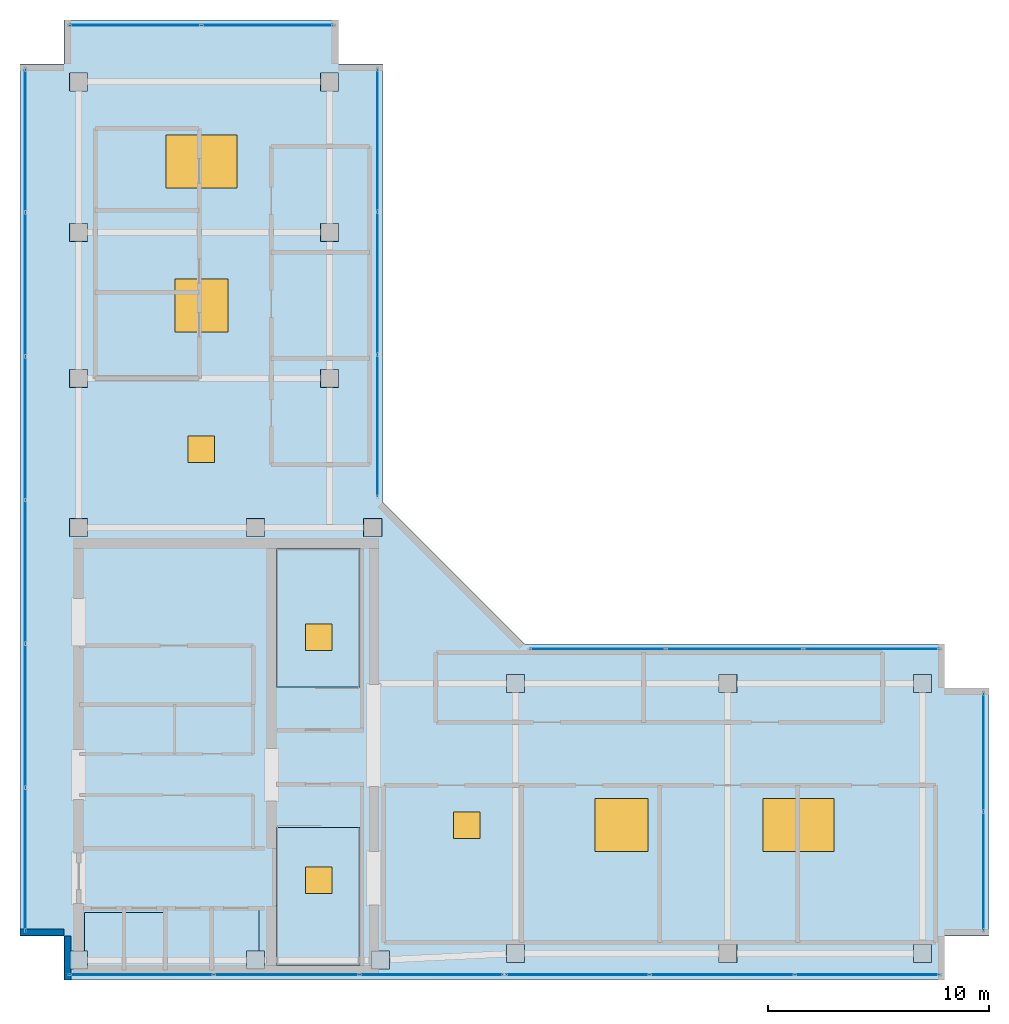
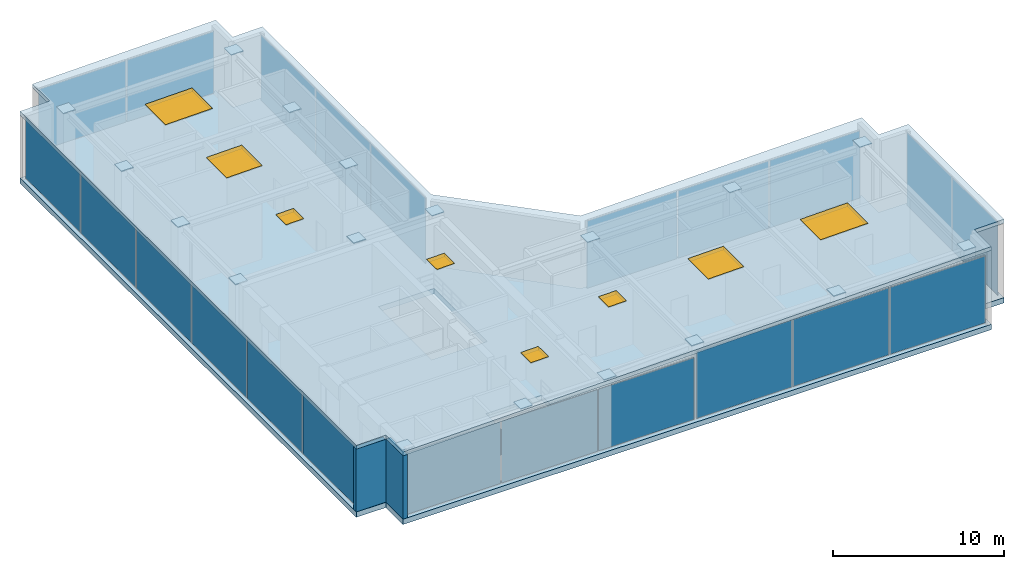
# One storey, part 19 of 22: 40 plates, 8 windows, 2 slabs, 2 walls, 8 openings, 7 elements without a shape of their own.
"""IFC4 building model written with IfcOpenShell, lengths in metres."""

import ifcopenshell
import ifcopenshell.guid

model = None  # the IFC model being written
_history = None  # IfcOwnerHistory: only IFC2X3 demands one
_inside = {}  # id of a spatial element -> (the spatial element, [elements in it])
_under = {}  # id of a project, library or spatial element -> (it, [spatial elements below it])
_declared = {}  # id of a project -> (the project, [libraries it declares])
_typed = {}  # id of a type object -> (the type object, [elements of that type])
_made_of = {}  # id of a material, layer set ... -> (it, [elements and type objects made of it])


def new_model(schema):
    """Start an empty IFC model of exactly this schema.

    Asked for "IFC4X3", IfcOpenShell would pick the latest addendum, in which some entities
    have other attributes; the version numbers below select the first issue.
    IFC2X3 requires an IfcOwnerHistory on every rooted entity: one is made here for all.
    """
    global model, _history
    if schema == "IFC4X3":
        model = ifcopenshell.file(schema_version=(4, 3, 0, 0))
    else:
        model = ifcopenshell.file(schema=schema)
    _inside.clear()
    _under.clear()
    _declared.clear()
    _typed.clear()
    _made_of.clear()
    _history = None
    if model.schema == "IFC2X3":
        org = make("IfcOrganization", Name="unknown")
        user = make(
            "IfcPersonAndOrganization",
            ThePerson=make("IfcPerson", FamilyName="unknown"),
            TheOrganization=org,
        )
        app = make(
            "IfcApplication",
            ApplicationDeveloper=org,
            Version="unknown",
            ApplicationFullName="unknown",
            ApplicationIdentifier="unknown",
        )
        _history = make(
            "IfcOwnerHistory",
            OwningUser=user,
            OwningApplication=app,
            ChangeAction="ADDED",
            CreationDate=0,
        )
    return model


def make(cls, **values):
    """One entity of the class cls with the attributes given. An attribute that is None is left unset."""
    return model.create_entity(
        cls, **{name: value for name, value in values.items() if value is not None}
    )


def rooted(cls, **values):
    """An entity with a GlobalId (a new one), such as an element, a storey or a relation."""
    return make(cls, GlobalId=ifcopenshell.guid.new(), OwnerHistory=_history, **values)


def si_unit(unit_type, name, prefix=None):
    """IfcSIUnit, for example si_unit("LENGTHUNIT", "METRE", prefix="MILLI")."""
    return make("IfcSIUnit", UnitType=unit_type, Prefix=prefix, Name=name)


def assignment(units):
    """IfcUnitAssignment: the units of a project."""
    return None if units is None else make("IfcUnitAssignment", Units=units)


def point(xyz):
    """IfcCartesianPoint."""
    return None if xyz is None else make("IfcCartesianPoint", Coordinates=xyz)


def direction(xyz):
    """IfcDirection."""
    return None if xyz is None else make("IfcDirection", DirectionRatios=xyz)


def frame(location, z_axis=None, x_axis=None):
    """IfcAxis2Placement3D, a coordinate frame: its origin and axes. An axis left out is left unset."""
    return make(
        "IfcAxis2Placement3D",
        Location=point(location),
        Axis=direction(z_axis),
        RefDirection=direction(x_axis),
    )


def frame_2d(location, x_axis=None):
    """IfcAxis2Placement2D, a coordinate frame in the plane: its origin and x axis."""
    return make(
        "IfcAxis2Placement2D", Location=point(location), RefDirection=direction(x_axis)
    )


def origin():
    """The frame at (0, 0, 0) with its axes left unset."""
    return frame((0.0, 0.0, 0.0))


def origin_with_axes():
    """The frame at (0, 0, 0) with the z axis (0, 0, 1) and the x axis (1, 0, 0) written out."""
    return frame((0.0, 0.0, 0.0), z_axis=(0.0, 0.0, 1.0), x_axis=(1.0, 0.0, 0.0))


def origin_2d():
    """The frame at (0, 0) in the plane with its x axis left unset."""
    return frame_2d((0.0, 0.0))


def place(relative_to, where):
    """IfcLocalPlacement: puts the frame where relative to a parent placement (None: the world)."""
    return make(
        "IfcLocalPlacement", PlacementRelTo=relative_to, RelativePlacement=where
    )


def context(
    kind, dimensions, precision=None, world=None, true_north=None, identifier=None
):
    """IfcGeometricRepresentationContext, for example the 3D "Model" context."""
    return make(
        "IfcGeometricRepresentationContext",
        ContextIdentifier=identifier,
        ContextType=kind,
        CoordinateSpaceDimension=dimensions,
        Precision=precision,
        WorldCoordinateSystem=world,
        TrueNorth=true_north,
    )


def subcontext(parent, identifier, kind, view, scale=None):
    """IfcGeometricRepresentationSubContext, for example "Body" below "Model"."""
    return make(
        "IfcGeometricRepresentationSubContext",
        ContextIdentifier=identifier,
        ContextType=kind,
        ParentContext=parent,
        TargetScale=scale,
        TargetView=view,
    )


def project(units=None, contexts=None):
    """IfcProject with its units and contexts."""
    return rooted(
        "IfcProject",
        Name="project",
        RepresentationContexts=contexts,
        UnitsInContext=assignment(units),
    )


def spatial(cls, under=None, at=None, **own):
    """A site, building, storey or space (cls), placed at a placement, below another one or the project."""
    s = rooted(cls, ObjectPlacement=at, **own)
    if under is not None:
        _under.setdefault(under.id(), (under, []))[1].append(s)
    return s


def polyline(points):
    """IfcPolyline through the points."""
    return make("IfcPolyline", Points=[point(p) for p in points])


def profile(cls, at=None, kind="AREA", **sizes):
    """A parametric profile (cls). Its sizes go by their IFC names, for example OverallWidth=200.0."""
    return make(cls, ProfileType=kind, Position=at, **sizes)


def rectangle(**sizes):
    """IfcRectangleProfileDef."""
    return profile("IfcRectangleProfileDef", **sizes)


def outline(outer, holes=None, kind="AREA"):
    """IfcArbitraryClosedProfileDef: a profile drawn as a closed curve; with holes, ...WithVoids."""
    if holes is None:
        return make("IfcArbitraryClosedProfileDef", ProfileType=kind, OuterCurve=outer)
    return make(
        "IfcArbitraryProfileDefWithVoids",
        ProfileType=kind,
        OuterCurve=outer,
        InnerCurves=holes,
    )


def extrude(swept, where, along, depth):
    """IfcExtrudedAreaSolid: the profile swept, set in the frame where, extruded along a direction by depth."""
    return make(
        "IfcExtrudedAreaSolid",
        SweptArea=swept,
        Position=where,
        ExtrudedDirection=direction(along),
        Depth=depth,
    )


def shape(context_of_items, identifier, shape_type, items):
    """IfcShapeRepresentation: the items that make up one representation, for example the "Body"."""
    return make(
        "IfcShapeRepresentation",
        ContextOfItems=context_of_items,
        RepresentationIdentifier=identifier,
        RepresentationType=shape_type,
        Items=items,
    )


def source(mapping_origin, context_of_items, identifier, shape_type, items):
    """IfcRepresentationMap: a shape defined once, which mapped items show again and again."""
    return make(
        "IfcRepresentationMap",
        MappingOrigin=mapping_origin,
        MappedRepresentation=shape(context_of_items, identifier, shape_type, items),
    )


def transform(
    local_origin,
    x_axis=None,
    y_axis=None,
    z_axis=None,
    scale=None,
    scale2=None,
    scale3=None,
    uniform=True,
):
    """IfcCartesianTransformationOperator3D, or its non-uniform kind. x_axis, y_axis, z_axis: its Axis1, 2, 3."""
    if uniform:
        return make(
            "IfcCartesianTransformationOperator3D",
            Axis1=direction(x_axis),
            Axis2=direction(y_axis),
            LocalOrigin=point(local_origin),
            Scale=scale,
            Axis3=direction(z_axis),
        )
    return make(
        "IfcCartesianTransformationOperator3DnonUniform",
        Axis1=direction(x_axis),
        Axis2=direction(y_axis),
        LocalOrigin=point(local_origin),
        Scale=scale,
        Axis3=direction(z_axis),
        Scale2=scale2,
        Scale3=scale3,
    )


def mapped(mapping_source, mapping_target):
    """IfcMappedItem: shows the shape of a source again, moved by a transform."""
    return make(
        "IfcMappedItem", MappingSource=mapping_source, MappingTarget=mapping_target
    )


def material(Name=None, Category=None):
    """IfcMaterial."""
    return make("IfcMaterial", Name=Name, Category=Category)


def layer(
    of_material, thickness, ventilated=None, Name=None, Category=None, Priority=None
):
    """IfcMaterialLayer: one layer of a wall or slab, of a material (None: an air gap)."""
    return make(
        "IfcMaterialLayer",
        Material=of_material,
        LayerThickness=thickness,
        IsVentilated=ventilated,
        Name=Name,
        Category=Category,
        Priority=Priority,
    )


def layer_set(layers, Name=None):
    """IfcMaterialLayerSet."""
    return make("IfcMaterialLayerSet", MaterialLayers=layers, LayerSetName=Name)


def made_of(thing, what):
    """Note that an element or type object is made of a material, layer set ...; save() writes the relation."""
    if what is not None:
        _made_of.setdefault(what.id(), (what, []))[1].append(thing)
    return thing


def type_object(cls, material=None, **own):
    """A type object (cls), such as IfcWallType, which elements share."""
    return made_of(rooted(cls, **own), material)


def element(
    cls,
    number,
    at=None,
    inside=None,
    cuts=None,
    type_object=None,
    material=None,
    context=None,
    identifier="Body",
    shape_type=None,
    held_by="IfcProductDefinitionShape",
    body=None,
    shapes=None,
    **own,
):
    """One element of the class cls, such as IfcWall. Its Tag is "e" and its number.

    at: its placement. inside: the storey or other place that contains it. cuts: it is an
    opening in that element (IfcRelVoidsElement). A single representation is given by context,
    identifier, shape_type and body (its items); several are given by shapes. held_by: the class
    of the entity that holds the representations. save() writes the other relations.
    """
    e = rooted(cls, Tag="e%d" % number, ObjectPlacement=at, **own)
    if body is not None:
        shapes = [shape(context, identifier, shape_type, body)]
    if shapes is not None:
        e.Representation = make(held_by, Representations=shapes)
    if inside is not None:
        _inside.setdefault(inside.id(), (inside, []))[1].append(e)
    if cuts is not None:
        rooted(
            "IfcRelVoidsElement", RelatingBuildingElement=cuts, RelatedOpeningElement=e
        )
    if type_object is not None:
        _typed.setdefault(type_object.id(), (type_object, []))[1].append(e)
    return made_of(e, material)


def fill(opening, filler):
    """IfcRelFillsElement: the door or window that sits in an opening."""
    return rooted(
        "IfcRelFillsElement",
        RelatingOpeningElement=opening,
        RelatedBuildingElement=filler,
    )


def aggregate(whole, parts):
    """IfcRelAggregates: a whole, such as a stair, and the parts it consists of."""
    return rooted("IfcRelAggregates", RelatingObject=whole, RelatedObjects=parts)


def save(model, path):
    """Write the relations noted so far, then the file.

    IfcRelAggregates (storeys below a building ...), IfcRelContainedInSpatialStructure (elements
    in a storey), IfcRelDefinesByType, IfcRelAssociatesMaterial and IfcRelDeclares: one each for
    every whole, place, type object, material and project.
    """
    for whole, parts in _under.values():
        aggregate(whole, parts)
    for where, things in _inside.values():
        rooted(
            "IfcRelContainedInSpatialStructure",
            RelatedElements=things,
            RelatingStructure=where,
        )
    for kind, things in _typed.values():
        rooted("IfcRelDefinesByType", RelatedObjects=things, RelatingType=kind)
    for what, things in _made_of.values():
        rooted("IfcRelAssociatesMaterial", RelatedObjects=things, RelatingMaterial=what)
    for by, libraries in _declared.values():
        rooted("IfcRelDeclares", RelatingContext=by, RelatedDefinitions=libraries)
    model.write(path)


model = new_model("IFC4")

# Units and contexts
model_context = context("Model", 3, precision=1e-05, world=origin(), true_north=direction((0.0, 1.0)))
body_context = subcontext(model_context, "Body", "Model", "MODEL_VIEW")
ifc_project = project(units=[si_unit("LENGTHUNIT", "METRE"), si_unit("AREAUNIT", "SQUARE_METRE"), si_unit("VOLUMEUNIT", "CUBIC_METRE"), si_unit("PLANEANGLEUNIT", "RADIAN"), si_unit("MASSUNIT", "GRAM", prefix="KILO")], contexts=[model_context])

# Site, building, storey
site_placement = place(None, origin())
site = spatial("IfcSite", under=ifc_project, at=site_placement, CompositionType="ELEMENT")
building_placement = place(site_placement, origin())
building = spatial("IfcBuilding", under=site, at=building_placement, Name="Kolvaren Waterfront Exchange", CompositionType="ELEMENT")
storey_placement = place(building_placement, frame((0.0, 0.0, 360.39990234375)))
storey = spatial("IfcBuildingStorey", under=building, at=storey_placement, Name="RF", CompositionType="ELEMENT", Elevation=360.39990234375)

# Slab, openings, windows
ifc_material_1 = material(Name="Concrete C40/50", Category="concrete")
ifc_layer_1 = layer(ifc_material_1, 0.280029296875, Name="Concrete C40/50")
ifc_layer_set_1 = layer_set([ifc_layer_1], Name="Concrete C40/50")
slab_type_1 = type_object("IfcSlabType", Name="STR-ROOF-280", PredefinedType="ROOF", material=ifc_layer_set_1)
slab_1_placement = place(storey_placement, frame((6.800048828125, 4.0, 4.798583984375), z_axis=(-0.019179722964, -9.68549e-07, 0.999816052195), x_axis=(0.999816052195, -8e-12, 0.019179722964)))
slab_1 = element("IfcSlab", 1, at=slab_1_placement, inside=storey, type_object=slab_type_1, Name="RF structural crown cap roof slab", PredefinedType="ROOF", context=body_context, shape_type="SweptSolid", body=[
    extrude(outline(polyline([(0.0, 0.0), (39.807365346407536, 1.0587911840678754e-22), (39.807365346392416, 1.9999999999990623), (41.80773261106227, 1.9999999999789113), (41.8077326109776, 13.19995117184866), (39.80736534630775, 13.199951171868811), (39.80736534629263, 15.199951171867873), (20.80387399065423, 15.199951171941098), (14.402549476703053, 21.600097656238447), (14.402549476553373, 41.39990234372917), (12.402182211883517, 41.39990234374931), (12.402182211868396, 43.39990234374837), (-3.280890504877779e-10, 43.39990234372965), (-3.1296970538468803e-10, 41.39990234373059), (-2.000371947532377, 41.39990234351432), (-2.0003719472345263, 1.9999999997827949), (-1.5119345103089887e-11, 1.9999999999990623), (0.0, 0.0)])), origin(), (0.0, 0.0, -1.0), 0.280029296875),
])
opening_1_placement = place(slab_1_placement, frame((11.502197265625, 4.5, 0.0)))
opening_1 = element("IfcOpeningElement", 2, at=opening_1_placement, cuts=slab_1, Name="Opening SK01", PredefinedType="OPENING", context=body_context, shape_type="SweptSolid", body=[
    extrude(rectangle(XDim=1.199951171875, YDim=1.199951171875, at=origin_2d()), frame((0.0, 0.0, 0.02001953125), z_axis=(0.0, 0.0, -1.0), x_axis=(1.0, 0.0, 0.0)), (0.0, 0.0, 1.0), 0.320068359375),
])
opening_2_placement = place(slab_1_placement, frame((11.502197265625, 15.5, 0.0)))
opening_2 = element("IfcOpeningElement", 3, at=opening_2_placement, cuts=slab_1, Name="Opening SK01", PredefinedType="OPENING", context=body_context, shape_type="SweptSolid", body=[
    extrude(rectangle(XDim=1.199951171875, YDim=1.199951171875, at=origin_2d()), frame((0.0, 0.0, 0.02001953125), z_axis=(0.0, 0.0, -1.0), x_axis=(1.0, 0.0, 0.0)), (0.0, 0.0, 1.0), 0.320068359375),
])
opening_3_placement = place(slab_1_placement, frame((18.203369140625, 7.0, 0.0)))
opening_3 = element("IfcOpeningElement", 4, at=opening_3_placement, cuts=slab_1, Name="Opening SK01", PredefinedType="OPENING", context=body_context, shape_type="SweptSolid", body=[
    extrude(rectangle(XDim=1.199951171875, YDim=1.199951171875, at=origin_2d()), frame((0.0, 0.0, 0.02001953125), z_axis=(0.0, 0.0, -1.0), x_axis=(1.0, 0.0, 0.0)), (0.0, 0.0, 1.0), 0.320068359375),
])
opening_4_placement = place(slab_1_placement, frame((25.20458984375, 7.0, 0.0)))
opening_4 = element("IfcOpeningElement", 5, at=opening_4_placement, cuts=slab_1, Name="Opening SK02", PredefinedType="OPENING", context=body_context, shape_type="SweptSolid", body=[
    extrude(rectangle(XDim=2.39990234375, YDim=2.39990234375, at=origin_2d()), frame((0.0, 0.0, 0.02001953125), z_axis=(0.0, 0.0, -1.0), x_axis=(1.0, 0.0, 0.0)), (0.0, 0.0, 1.0), 0.320068359375),
])
opening_5_placement = place(slab_1_placement, frame((33.2060546875, 7.0, 0.0)))
opening_5 = element("IfcOpeningElement", 6, at=opening_5_placement, cuts=slab_1, Name="Opening SK03", PredefinedType="OPENING", context=body_context, shape_type="SweptSolid", body=[
    extrude(rectangle(XDim=3.199951171875, YDim=2.39990234375, at=origin_2d()), frame((0.0, 0.0, 0.02001953125), z_axis=(0.0, 0.0, -1.0), x_axis=(1.0, 0.0, 0.0)), (0.0, 0.0, 1.0), 0.320068359375),
])
opening_6_placement = place(slab_1_placement, frame((6.201171875, 24.0, 0.0)))
opening_6 = element("IfcOpeningElement", 7, at=opening_6_placement, cuts=slab_1, Name="Opening SK01", PredefinedType="OPENING", context=body_context, shape_type="SweptSolid", body=[
    extrude(rectangle(XDim=1.199951171875, YDim=1.199951171875, at=origin_2d()), frame((0.0, 0.0, 0.02001953125), z_axis=(0.0, 0.0, -1.0), x_axis=(1.0, 0.0, 0.0)), (0.0, 0.0, 1.0), 0.320068359375),
])
opening_7_placement = place(slab_1_placement, frame((6.201171875, 30.5, 0.0)))
opening_7 = element("IfcOpeningElement", 8, at=opening_7_placement, cuts=slab_1, Name="Opening SK02", PredefinedType="OPENING", context=body_context, shape_type="SweptSolid", body=[
    extrude(rectangle(XDim=2.39990234375, YDim=2.39990234375, at=origin_2d()), frame((0.0, 0.0, 0.02001953125), z_axis=(0.0, 0.0, -1.0), x_axis=(1.0, 0.0, 0.0)), (0.0, 0.0, 1.0), 0.320068359375),
])
opening_8_placement = place(slab_1_placement, frame((6.201171875, 37.0, 0.0)))
opening_8 = element("IfcOpeningElement", 9, at=opening_8_placement, cuts=slab_1, Name="Opening SK03", PredefinedType="OPENING", context=body_context, shape_type="SweptSolid", body=[
    extrude(rectangle(XDim=3.199951171875, YDim=2.39990234375, at=origin_2d()), frame((0.0, 0.0, 0.02001953125), z_axis=(0.0, 0.0, -1.0), x_axis=(1.0, 0.0, 0.0)), (0.0, 0.0, 1.0), 0.320068359375),
])
ifc_material_2 = material(Name="Crown lantern clear solar glass", Category="glass")
window_type_1 = type_object("IfcWindowType", Name="ARC-SKY-1200x1200", PartitioningType="SINGLE_PANEL", PredefinedType="SKYLIGHT", material=ifc_material_2)
window_1_placement = place(opening_1_placement, frame((0.0, 0.0, -0.050048828125)))
window_1 = element("IfcWindow", 10, at=window_1_placement, inside=storey, type_object=window_type_1, Name="RF maintenance roof access hatch 1", OverallHeight=1.199951171875, OverallWidth=1.199951171875, PartitioningType="SINGLE_PANEL", PredefinedType="SKYLIGHT", context=body_context, shape_type="SweptSolid", body=[
    extrude(rectangle(XDim=1.199951171875, YDim=1.199951171875, at=origin_2d()), origin(), (0.0, 0.0, 1.0), 0.050048828125),
])
fill(opening_1, window_1)
window_2_placement = place(opening_2_placement, frame((0.0, 0.0, -0.050048828125)))
window_2 = element("IfcWindow", 11, at=window_2_placement, inside=storey, type_object=window_type_1, Name="RF maintenance roof access hatch 2", OverallHeight=1.199951171875, OverallWidth=1.199951171875, PartitioningType="SINGLE_PANEL", PredefinedType="SKYLIGHT", context=body_context, shape_type="SweptSolid", body=[
    extrude(rectangle(XDim=1.199951171875, YDim=1.199951171875, at=origin_2d()), origin(), (0.0, 0.0, 1.0), 0.050048828125),
])
fill(opening_2, window_2)
window_3_placement = place(opening_3_placement, frame((0.0, 0.0, -0.050048828125)))
window_3 = element("IfcWindow", 12, at=window_3_placement, inside=storey, type_object=window_type_1, Name="RF crown skylight 1", OverallHeight=1.199951171875, OverallWidth=1.199951171875, PartitioningType="SINGLE_PANEL", PredefinedType="SKYLIGHT", context=body_context, shape_type="SweptSolid", body=[
    extrude(rectangle(XDim=1.199951171875, YDim=1.199951171875, at=origin_2d()), origin(), (0.0, 0.0, 1.0), 0.050048828125),
])
fill(opening_3, window_3)
window_4_placement = place(opening_6_placement, frame((0.0, 0.0, -0.050048828125)))
window_4 = element("IfcWindow", 13, at=window_4_placement, inside=storey, type_object=window_type_1, Name="RF crown skylight 4", OverallHeight=1.199951171875, OverallWidth=1.199951171875, PartitioningType="SINGLE_PANEL", PredefinedType="SKYLIGHT", context=body_context, shape_type="SweptSolid", body=[
    extrude(rectangle(XDim=1.199951171875, YDim=1.199951171875, at=origin_2d()), origin(), (0.0, 0.0, 1.0), 0.050048828125),
])
fill(opening_6, window_4)
window_type_2 = type_object("IfcWindowType", Name="ARC-SKY-2400x2400", PartitioningType="SINGLE_PANEL", PredefinedType="SKYLIGHT", material=ifc_material_2)
window_5_placement = place(opening_4_placement, frame((0.0, 0.0, -0.050048828125)))
window_5 = element("IfcWindow", 14, at=window_5_placement, inside=storey, type_object=window_type_2, Name="RF crown skylight 2", OverallHeight=2.39990234375, OverallWidth=2.39990234375, PartitioningType="SINGLE_PANEL", PredefinedType="SKYLIGHT", context=body_context, shape_type="SweptSolid", body=[
    extrude(rectangle(XDim=2.39990234375, YDim=2.39990234375, at=origin_2d()), origin(), (0.0, 0.0, 1.0), 0.050048828125),
])
fill(opening_4, window_5)
window_6_placement = place(opening_7_placement, frame((0.0, 0.0, -0.050048828125)))
window_6 = element("IfcWindow", 15, at=window_6_placement, inside=storey, type_object=window_type_2, Name="RF crown skylight 5", OverallHeight=2.39990234375, OverallWidth=2.39990234375, PartitioningType="SINGLE_PANEL", PredefinedType="SKYLIGHT", context=body_context, shape_type="SweptSolid", body=[
    extrude(rectangle(XDim=2.39990234375, YDim=2.39990234375, at=origin_2d()), origin(), (0.0, 0.0, 1.0), 0.050048828125),
])
fill(opening_7, window_6)
window_type_3 = type_object("IfcWindowType", Name="ARC-SKY-3200x2400", PartitioningType="SINGLE_PANEL", PredefinedType="SKYLIGHT", material=ifc_material_2)
window_7_placement = place(opening_5_placement, frame((0.0, 0.0, -0.050048828125)))
window_7 = element("IfcWindow", 16, at=window_7_placement, inside=storey, type_object=window_type_3, Name="RF crown skylight 3", OverallHeight=2.39990234375, OverallWidth=3.199951171875, PartitioningType="SINGLE_PANEL", PredefinedType="SKYLIGHT", context=body_context, shape_type="SweptSolid", body=[
    extrude(rectangle(XDim=3.199951171875, YDim=2.39990234375, at=origin_2d()), origin(), (0.0, 0.0, 1.0), 0.050048828125),
])
fill(opening_5, window_7)
window_8_placement = place(opening_8_placement, frame((0.0, 0.0, -0.050048828125)))
window_8 = element("IfcWindow", 17, at=window_8_placement, inside=storey, type_object=window_type_3, Name="RF crown skylight 6", OverallHeight=2.39990234375, OverallWidth=3.199951171875, PartitioningType="SINGLE_PANEL", PredefinedType="SKYLIGHT", context=body_context, shape_type="SweptSolid", body=[
    extrude(rectangle(XDim=3.199951171875, YDim=2.39990234375, at=origin_2d()), origin(), (0.0, 0.0, 1.0), 0.050048828125),
])
fill(opening_8, window_8)

# Slab
ifc_layer_2 = layer(ifc_material_1, 0.3798828125, Name="Concrete C40/50")
ifc_layer_set_2 = layer_set([ifc_layer_2], Name="Concrete C40/50")
slab_type_2 = type_object("IfcSlabType", Name="STR-SLAB-380", PredefinedType="FLOOR", material=ifc_layer_set_2)
slab_2_placement = place(storey_placement, frame((0.0, 0.0, -0.3798828125)))
element("IfcSlab", 18, at=slab_2_placement, inside=storey, type_object=slab_type_2, Name="RF structural floor slab", PredefinedType="FLOOR", context=body_context, shape_type="SweptSolid", body=[
    extrude(outline(polyline([(6.800048828125, 4.0), (46.60009765625, 4.0), (46.60009765625, 6.0), (48.60009765625, 6.0), (48.60009765625, 17.199951171875), (46.60009765625, 17.199951171875), (46.60009765625, 19.199951171875), (27.60009765625, 19.199951171875), (21.199951171875, 25.60009765625), (21.199951171875, 45.39990234375), (19.199951171875, 45.39990234375), (19.199951171875, 47.39990234375), (6.800048828125, 47.39990234375), (6.800048828125, 45.39990234375), (4.800048828125, 45.39990234375), (4.800048828125, 6.0), (6.800048828125, 6.0), (6.800048828125, 4.0)]), holes=[polyline([(11.320068359375, 7.260009765625), (15.610107421875, 7.260009765625), (15.610107421875, 4.5400390625), (7.719970703125, 4.5400390625), (7.719970703125, 7.06005859375), (11.320068359375, 7.06005859375), (11.320068359375, 7.260009765625)]), polyline([(16.39990234375, 10.89990234375), (20.159912109375, 10.89990234375), (20.159912109375, 4.64990234375), (16.39990234375, 4.64990234375), (16.39990234375, 10.89990234375)]), polyline([(20.159912109375, 17.25), (16.39990234375, 17.25), (16.39990234375, 23.5), (20.159912109375, 23.5), (20.159912109375, 17.25)])]), origin(), (0.0, 0.0, 1.0), 0.3798828125),
])

# Plates
ifc_material_3 = material(Name="Steel S460", Category="steel")
ifc_layer_3 = layer(ifc_material_3, 0.050048828125, Name="Steel S460")
ifc_layer_set_3 = layer_set([ifc_layer_3], Name="Steel S460")
plate_type_1 = type_object("IfcPlateType", Name="STR-PL-TN1", PredefinedType="USERDEFINED", material=ifc_layer_set_3)
shared_shape_1 = source(origin_with_axes(), body_context, "Body", "SweptSolid", [
    extrude(rectangle(XDim=0.820068359375, YDim=0.820068359375, at=origin_2d()), origin(), (0.0, 0.0, 1.0), 0.050048828125),
])
for number, where, z_axis, x_axis, name in (
    (19, (7.449951171875, 4.89990234375, 4.505859375), (0.0, 0.0, 1.0), (1.0, 0.0, 0.0), "RF crown column cap plate MC01"),
    (20, (15.449951171875, 4.89990234375, 4.6591796875), (0.0, 0.0, 1.0), (1.0, 0.0, 0.0), "RF crown column cap plate MC02"),
    (21, (21.10009765625, 4.89990234375, 4.767578125), (0.0, 0.0, 1.0), (1.0, 0.0, 0.0), "RF crown column cap plate MC03"),
    (22, (7.449951171875, 24.449951171875, 4.505859375), (0.0, 0.0, 1.0), (1.0, 0.0, 0.0), "RF crown column cap plate MC04"),
    (23, (15.449951171875, 24.449951171875, 4.6591796875), (0.0, 0.0, 1.0), (1.0, 0.0, 0.0), "RF crown column cap plate MC05"),
    (24, (20.75, 24.449951171875, 4.7607421875), (0.0, 0.0, 1.0), (1.0, 0.0, 0.0), "RF crown column cap plate MC06"),
    (25, (7.449951171875, 31.199951171875, 4.505859375), (0.0, 0.0, 1.0), (1.0, 0.0, 0.0), "RF crown column cap plate NC01"),
    (26, (7.449951171875, 37.800048828125, 4.505859375), (0.0, 0.0, 1.0), (1.0, 0.0, 0.0), "RF crown column cap plate NC02"),
    (27, (7.449951171875, 44.60009765625, 4.505859375), (0.0, 0.0, 1.0), (1.0, 0.0, 0.0), "RF crown column cap plate NC03"),
    (28, (18.800048828125, 31.199951171875, 4.7236328125), (0.0, 0.0, 1.0), (1.0, 0.0, 0.0), "RF crown column cap plate NC04"),
    (29, (18.800048828125, 37.800048828125, 4.7236328125), (0.0, 0.0, 1.0), (1.0, 0.0, 0.0), "RF crown column cap plate NC05"),
    (30, (18.800048828125, 44.60009765625, 4.7236328125), (0.0, 0.0, 1.0), (1.0, 0.0, 0.0), "RF crown column cap plate NC06"),
    (31, (27.199951171875, 5.199951171875, 4.884765625), (0.0, 0.0, 1.0), (1.0, 0.0, 0.0), "RF crown column cap plate EC01"),
    (32, (36.800048828125, 5.199951171875, 5.06884765625), (0.0, 0.0, 1.0), (1.0, 0.0, 0.0), "RF crown column cap plate EC02"),
    (33, (45.60009765625, 5.199951171875, 5.23779296875), (0.0, 0.0, 1.0), (1.0, 0.0, 0.0), "RF crown column cap plate EC03"),
    (34, (27.199951171875, 17.39990234375, 4.884765625), (0.0, 0.0, 1.0), (1.0, 0.0, 0.0), "RF crown column cap plate EC04"),
    (35, (36.800048828125, 17.39990234375, 5.06884765625), (0.0, 0.0, 1.0), (1.0, 0.0, 0.0), "RF crown column cap plate EC05"),
    (36, (45.60009765625, 17.39990234375, 5.23779296875), (0.0, 0.0, 1.0), (1.0, 0.0, 0.0), "RF crown column cap plate EC06"),
):
    element("IfcPlate", number, at=place(storey_placement, frame(where, z_axis=z_axis, x_axis=x_axis)), inside=storey, type_object=plate_type_1, Name=name, ObjectType="FLANGE PLATE", PredefinedType="USERDEFINED", context=body_context, shape_type="MappedRepresentation", body=[
        mapped(shared_shape_1, transform((0.0, 0.0, 0.0), x_axis=(1.0, 0.0, 0.0), y_axis=(0.0, 1.0, 0.0), z_axis=(0.0, 0.0, 1.0), scale=1.0)),
    ])

# Curtain wall, plates
ifc_material_4 = material(Name="Anodised bronze aluminium 6063-T6", Category="aluminium")
ifc_layer_4 = layer(ifc_material_4, 0.219970703125, Name="Anodised bronze aluminium 6063-T6")
ifc_layer_set_4 = layer_set([ifc_layer_4], Name="Anodised bronze aluminium 6063-T6")
curtain_wall_type = type_object("IfcCurtainWallType", Name="ARC-CW-SYS5", PredefinedType="USERDEFINED", material=ifc_layer_set_4)
curtain_wall_1_placement = place(storey_placement, origin())
curtain_wall_1 = element("IfcCurtainWall", 37, at=curtain_wall_1_placement, inside=storey, type_object=curtain_wall_type, Name="RF stick curtain wall CW5 (CW-RF-S1)", ObjectType="STICK CURTAIN WALL", PredefinedType="USERDEFINED")
ifc_layer_5 = layer(ifc_material_2, 0.030029296875, Name="Crown lantern clear solar glass")
ifc_layer_set_5 = layer_set([ifc_layer_5], Name="Crown lantern clear solar glass")
plate_type_2 = type_object("IfcPlateType", Name="ARC-CWP-30", PredefinedType="CURTAIN_PANEL", material=ifc_layer_set_5)
shared_shape_2 = source(origin_with_axes(), body_context, "Body", "SweptSolid", [
    extrude(rectangle(XDim=6.4541015625, YDim=0.030029296875, at=origin_2d()), origin(), (0.0, 0.0, 1.0), 4.412109375),
])
plate_1_placement = place(storey_placement, frame((10.302001953125, 4.239990234375, 0.065185546875), z_axis=(0.0, 0.0, 1.0), x_axis=(1.0, 0.0, 0.0)))
plate_1 = element("IfcPlate", 38, at=plate_1_placement, type_object=plate_type_2, Name="CW5 panel 1.1", PredefinedType="CURTAIN_PANEL", context=body_context, shape_type="MappedRepresentation", body=[
    mapped(shared_shape_2, transform((0.0, 0.0, 0.0), x_axis=(1.0, 0.0, 0.0), y_axis=(0.0, 1.0, 0.0), z_axis=(0.0, 0.0, 1.0), scale=1.0)),
])
plate_2_placement = place(storey_placement, frame((23.39794921875, 4.239990234375, 0.065185546875), z_axis=(0.0, 0.0, 1.0), x_axis=(1.0, 0.0, 0.0)))
plate_2 = element("IfcPlate", 39, at=plate_2_placement, type_object=plate_type_2, Name="CW5 panel 3.1", PredefinedType="CURTAIN_PANEL", context=body_context, shape_type="MappedRepresentation", body=[
    mapped(shared_shape_2, transform((0.0, 0.0, 0.0), x_axis=(1.0, 0.0, 0.0), y_axis=(0.0, 1.0, 0.0), z_axis=(0.0, 0.0, 1.0), scale=1.0)),
])
shared_shape_3 = source(origin_with_axes(), body_context, "Body", "SweptSolid", [
    extrude(rectangle(XDim=6.49169921875, YDim=0.030029296875, at=origin_2d()), origin(), (0.0, 0.0, 1.0), 4.412109375),
])
plate_3_placement = place(storey_placement, frame((16.85009765625, 4.239990234375, 0.065185546875), z_axis=(0.0, 0.0, 1.0), x_axis=(1.0, 0.0, 0.0)))
plate_3 = element("IfcPlate", 40, at=plate_3_placement, type_object=plate_type_2, Name="CW5 panel 2.1", PredefinedType="CURTAIN_PANEL", context=body_context, shape_type="MappedRepresentation", body=[
    mapped(shared_shape_3, transform((0.0, 0.0, 0.0), x_axis=(1.0, 0.0, 0.0), y_axis=(0.0, 1.0, 0.0), z_axis=(0.0, 0.0, 1.0), scale=1.0)),
])
aggregate(curtain_wall_1, [plate_1, plate_3, plate_2])

curtain_wall_2_placement = place(storey_placement, origin())
curtain_wall_2 = element("IfcCurtainWall", 41, at=curtain_wall_2_placement, inside=storey, type_object=curtain_wall_type, Name="RF stick curtain wall CW5 (CW-RF-S2)", ObjectType="STICK CURTAIN WALL", PredefinedType="USERDEFINED")
shared_shape_4 = source(origin_with_axes(), body_context, "Body", "SweptSolid", [
    extrude(rectangle(XDim=6.4541015625, YDim=0.030029296875, at=origin_2d()), origin(), (0.0, 0.0, 1.0), 4.7900390625),
])
plate_4_placement = place(storey_placement, frame((30.002197265625, 4.239990234375, 0.065185546875), z_axis=(0.0, 0.0, 1.0), x_axis=(1.0, 0.0, 0.0)))
plate_4 = element("IfcPlate", 42, at=plate_4_placement, type_object=plate_type_2, Name="CW5 panel 1.1", PredefinedType="CURTAIN_PANEL", context=body_context, shape_type="MappedRepresentation", body=[
    mapped(shared_shape_4, transform((0.0, 0.0, 0.0), x_axis=(1.0, 0.0, 0.0), y_axis=(0.0, 1.0, 0.0), z_axis=(0.0, 0.0, 1.0), scale=1.0)),
])
plate_5_placement = place(storey_placement, frame((43.097900390625, 4.239990234375, 0.065185546875), z_axis=(0.0, 0.0, 1.0), x_axis=(1.0, 0.0, 0.0)))
plate_5 = element("IfcPlate", 43, at=plate_5_placement, type_object=plate_type_2, Name="CW5 panel 3.1", PredefinedType="CURTAIN_PANEL", context=body_context, shape_type="MappedRepresentation", body=[
    mapped(shared_shape_4, transform((0.0, 0.0, 0.0), x_axis=(1.0, 0.0, 0.0), y_axis=(0.0, 1.0, 0.0), z_axis=(0.0, 0.0, 1.0), scale=1.0)),
])
shared_shape_5 = source(origin_with_axes(), body_context, "Body", "SweptSolid", [
    extrude(rectangle(XDim=6.49169921875, YDim=0.030029296875, at=origin_2d()), origin(), (0.0, 0.0, 1.0), 4.7900390625),
])
plate_6_placement = place(storey_placement, frame((36.550048828125, 4.239990234375, 0.065185546875), z_axis=(0.0, 0.0, 1.0), x_axis=(1.0, 0.0, 0.0)))
plate_6 = element("IfcPlate", 44, at=plate_6_placement, type_object=plate_type_2, Name="CW5 panel 2.1", PredefinedType="CURTAIN_PANEL", context=body_context, shape_type="MappedRepresentation", body=[
    mapped(shared_shape_5, transform((0.0, 0.0, 0.0), x_axis=(1.0, 0.0, 0.0), y_axis=(0.0, 1.0, 0.0), z_axis=(0.0, 0.0, 1.0), scale=1.0)),
])
aggregate(curtain_wall_2, [plate_4, plate_6, plate_5])

curtain_wall_3_placement = place(storey_placement, origin())
curtain_wall_3 = element("IfcCurtainWall", 45, at=curtain_wall_3_placement, inside=storey, type_object=curtain_wall_type, Name="RF stick curtain wall CW5 (CW-RF-W)", ObjectType="STICK CURTAIN WALL", PredefinedType="USERDEFINED")
shared_shape_6 = source(origin_with_axes(), body_context, "Body", "SweptSolid", [
    extrude(rectangle(XDim=6.387451171875, YDim=0.030029296875, at=origin_2d()), origin(), (0.0, 0.0, 1.0), 4.37451171875),
])
plate_7_placement = place(storey_placement, frame((5.0400390625, 9.46875, 0.065185546875), z_axis=(0.0, 0.0, 1.0), x_axis=(0.0, 1.0, 0.0)))
plate_7 = element("IfcPlate", 46, at=plate_7_placement, type_object=plate_type_2, Name="CW5 panel 1.1", PredefinedType="CURTAIN_PANEL", context=body_context, shape_type="MappedRepresentation", body=[
    mapped(shared_shape_6, transform((0.0, 0.0, 0.0), x_axis=(1.0, 0.0, 0.0), y_axis=(0.0, 1.0, 0.0), z_axis=(0.0, 0.0, 1.0), scale=1.0)),
])
plate_8_placement = place(storey_placement, frame((5.0400390625, 41.93115234375, 0.065185546875), z_axis=(0.0, 0.0, 1.0), x_axis=(0.0, 1.0, 0.0)))
plate_8 = element("IfcPlate", 47, at=plate_8_placement, type_object=plate_type_2, Name="CW5 panel 6.1", PredefinedType="CURTAIN_PANEL", context=body_context, shape_type="MappedRepresentation", body=[
    mapped(shared_shape_6, transform((0.0, 0.0, 0.0), x_axis=(1.0, 0.0, 0.0), y_axis=(0.0, 1.0, 0.0), z_axis=(0.0, 0.0, 1.0), scale=1.0)),
])
shared_shape_7 = source(origin_with_axes(), body_context, "Body", "SweptSolid", [
    extrude(rectangle(XDim=6.425048828125, YDim=0.030029296875, at=origin_2d()), origin(), (0.0, 0.0, 1.0), 4.37451171875),
])
plate_9_placement = place(storey_placement, frame((5.0400390625, 15.949951171875, 0.065185546875), z_axis=(0.0, 0.0, 1.0), x_axis=(0.0, 1.0, 0.0)))
plate_9 = element("IfcPlate", 48, at=plate_9_placement, type_object=plate_type_2, Name="CW5 panel 2.1", PredefinedType="CURTAIN_PANEL", context=body_context, shape_type="MappedRepresentation", body=[
    mapped(shared_shape_7, transform((0.0, 0.0, 0.0), x_axis=(1.0, 0.0, 0.0), y_axis=(0.0, 1.0, 0.0), z_axis=(0.0, 0.0, 1.0), scale=1.0)),
])
plate_10_placement = place(storey_placement, frame((5.0400390625, 22.449951171875, 0.065185546875), z_axis=(0.0, 0.0, 1.0), x_axis=(0.0, 1.0, 0.0)))
plate_10 = element("IfcPlate", 49, at=plate_10_placement, type_object=plate_type_2, Name="CW5 panel 3.1", PredefinedType="CURTAIN_PANEL", context=body_context, shape_type="MappedRepresentation", body=[
    mapped(shared_shape_7, transform((0.0, 0.0, 0.0), x_axis=(1.0, 0.0, 0.0), y_axis=(0.0, 1.0, 0.0), z_axis=(0.0, 0.0, 1.0), scale=1.0)),
])
plate_11_placement = place(storey_placement, frame((5.0400390625, 28.949951171875, 0.065185546875), z_axis=(0.0, 0.0, 1.0), x_axis=(0.0, 1.0, 0.0)))
plate_11 = element("IfcPlate", 50, at=plate_11_placement, type_object=plate_type_2, Name="CW5 panel 4.1", PredefinedType="CURTAIN_PANEL", context=body_context, shape_type="MappedRepresentation", body=[
    mapped(shared_shape_7, transform((0.0, 0.0, 0.0), x_axis=(1.0, 0.0, 0.0), y_axis=(0.0, 1.0, 0.0), z_axis=(0.0, 0.0, 1.0), scale=1.0)),
])
plate_12_placement = place(storey_placement, frame((5.0400390625, 35.449951171875, 0.065185546875), z_axis=(0.0, 0.0, 1.0), x_axis=(0.0, 1.0, 0.0)))
plate_12 = element("IfcPlate", 51, at=plate_12_placement, type_object=plate_type_2, Name="CW5 panel 5.1", PredefinedType="CURTAIN_PANEL", context=body_context, shape_type="MappedRepresentation", body=[
    mapped(shared_shape_7, transform((0.0, 0.0, 0.0), x_axis=(1.0, 0.0, 0.0), y_axis=(0.0, 1.0, 0.0), z_axis=(0.0, 0.0, 1.0), scale=1.0)),
])
aggregate(curtain_wall_3, [plate_7, plate_9, plate_10, plate_11, plate_12, plate_8])

curtain_wall_4_placement = place(storey_placement, origin())
curtain_wall_4 = element("IfcCurtainWall", 52, at=curtain_wall_4_placement, inside=storey, type_object=curtain_wall_type, Name="RF stick curtain wall CW5 (CW-RF-ET)", ObjectType="STICK CURTAIN WALL", PredefinedType="USERDEFINED")
shared_shape_8 = source(origin_with_axes(), body_context, "Body", "SweptSolid", [
    extrude(rectangle(XDim=5.28759765625, YDim=0.030029296875, at=origin_2d()), origin(), (0.0, 0.0, 1.0), 5.205322265625),
])
plate_13_placement = place(storey_placement, frame((48.360107421875, 8.918701171875, 0.06494140625), z_axis=(0.0, 0.0, 1.0), x_axis=(0.0, 1.0, 0.0)))
plate_13 = element("IfcPlate", 53, at=plate_13_placement, type_object=plate_type_2, Name="CW5 panel 1.1", PredefinedType="CURTAIN_PANEL", context=body_context, shape_type="MappedRepresentation", body=[
    mapped(shared_shape_8, transform((0.0, 0.0, 0.0), x_axis=(1.0, 0.0, 0.0), y_axis=(0.0, 1.0, 0.0), z_axis=(0.0, 0.0, 1.0), scale=1.0)),
])
plate_14_placement = place(storey_placement, frame((48.360107421875, 14.28125, 0.06494140625), z_axis=(0.0, 0.0, 1.0), x_axis=(0.0, 1.0, 0.0)))
plate_14 = element("IfcPlate", 54, at=plate_14_placement, type_object=plate_type_2, Name="CW5 panel 2.1", PredefinedType="CURTAIN_PANEL", context=body_context, shape_type="MappedRepresentation", body=[
    mapped(shared_shape_8, transform((0.0, 0.0, 0.0), x_axis=(1.0, 0.0, 0.0), y_axis=(0.0, 1.0, 0.0), z_axis=(0.0, 0.0, 1.0), scale=1.0)),
])
aggregate(curtain_wall_4, [plate_13, plate_14])

curtain_wall_5_placement = place(storey_placement, origin())
curtain_wall_5 = element("IfcCurtainWall", 55, at=curtain_wall_5_placement, inside=storey, type_object=curtain_wall_type, Name="RF stick curtain wall CW5 (CW-RF-EN)", ObjectType="STICK CURTAIN WALL", PredefinedType="USERDEFINED")
shared_shape_9 = source(origin_with_axes(), body_context, "Body", "SweptSolid", [
    extrude(rectangle(XDim=6.08740234375, YDim=0.030029296875, at=origin_2d()), origin(), (0.0, 0.0, 1.0), 4.81103515625),
])
plate_15_placement = place(storey_placement, frame((30.918701171875, 18.9599609375, 0.065185546875), z_axis=(0.0, 0.0, 1.0), x_axis=(1.0, 0.0, 0.0)))
plate_15 = element("IfcPlate", 56, at=plate_15_placement, type_object=plate_type_2, Name="CW5 panel 1.1", PredefinedType="CURTAIN_PANEL", context=body_context, shape_type="MappedRepresentation", body=[
    mapped(shared_shape_9, transform((0.0, 0.0, 0.0), x_axis=(1.0, 0.0, 0.0), y_axis=(0.0, 1.0, 0.0), z_axis=(0.0, 0.0, 1.0), scale=1.0)),
])
plate_16_placement = place(storey_placement, frame((43.28125, 18.9599609375, 0.065185546875), z_axis=(0.0, 0.0, 1.0), x_axis=(1.0, 0.0, 0.0)))
plate_16 = element("IfcPlate", 57, at=plate_16_placement, type_object=plate_type_2, Name="CW5 panel 3.1", PredefinedType="CURTAIN_PANEL", context=body_context, shape_type="MappedRepresentation", body=[
    mapped(shared_shape_9, transform((0.0, 0.0, 0.0), x_axis=(1.0, 0.0, 0.0), y_axis=(0.0, 1.0, 0.0), z_axis=(0.0, 0.0, 1.0), scale=1.0)),
])
shared_shape_10 = source(origin_with_axes(), body_context, "Body", "SweptSolid", [
    extrude(rectangle(XDim=6.125, YDim=0.030029296875, at=origin_2d()), origin(), (0.0, 0.0, 1.0), 4.81103515625),
])
plate_17_placement = place(storey_placement, frame((37.10009765625, 18.9599609375, 0.065185546875), z_axis=(0.0, 0.0, 1.0), x_axis=(1.0, 0.0, 0.0)))
plate_17 = element("IfcPlate", 58, at=plate_17_placement, type_object=plate_type_2, Name="CW5 panel 2.1", PredefinedType="CURTAIN_PANEL", context=body_context, shape_type="MappedRepresentation", body=[
    mapped(shared_shape_10, transform((0.0, 0.0, 0.0), x_axis=(1.0, 0.0, 0.0), y_axis=(0.0, 1.0, 0.0), z_axis=(0.0, 0.0, 1.0), scale=1.0)),
])
aggregate(curtain_wall_5, [plate_15, plate_17, plate_16])

curtain_wall_6_placement = place(storey_placement, origin())
curtain_wall_6 = element("IfcCurtainWall", 59, at=curtain_wall_6_placement, inside=storey, type_object=curtain_wall_type, Name="RF stick curtain wall CW5 (CW-RF-NE)", ObjectType="STICK CURTAIN WALL", PredefinedType="USERDEFINED")
shared_shape_11 = source(origin_with_axes(), body_context, "Body", "SweptSolid", [
    extrude(rectangle(XDim=6.354248046875, YDim=0.030029296875, at=origin_2d()), origin(), (0.0, 0.0, 1.0), 4.679931640625),
])
plate_18_placement = place(storey_placement, frame((20.9599609375, 29.052001953125, 0.06494140625), z_axis=(0.0, 0.0, 1.0), x_axis=(0.0, 1.0, 0.0)))
plate_18 = element("IfcPlate", 60, at=plate_18_placement, type_object=plate_type_2, Name="CW5 panel 1.1", PredefinedType="CURTAIN_PANEL", context=body_context, shape_type="MappedRepresentation", body=[
    mapped(shared_shape_11, transform((0.0, 0.0, 0.0), x_axis=(1.0, 0.0, 0.0), y_axis=(0.0, 1.0, 0.0), z_axis=(0.0, 0.0, 1.0), scale=1.0)),
])
plate_19_placement = place(storey_placement, frame((20.9599609375, 41.947998046875, 0.06494140625), z_axis=(0.0, 0.0, 1.0), x_axis=(0.0, 1.0, 0.0)))
plate_19 = element("IfcPlate", 61, at=plate_19_placement, type_object=plate_type_2, Name="CW5 panel 3.1", PredefinedType="CURTAIN_PANEL", context=body_context, shape_type="MappedRepresentation", body=[
    mapped(shared_shape_11, transform((0.0, 0.0, 0.0), x_axis=(1.0, 0.0, 0.0), y_axis=(0.0, 1.0, 0.0), z_axis=(0.0, 0.0, 1.0), scale=1.0)),
])
shared_shape_12 = source(origin_with_axes(), body_context, "Body", "SweptSolid", [
    extrude(rectangle(XDim=6.3916015625, YDim=0.030029296875, at=origin_2d()), origin(), (0.0, 0.0, 1.0), 4.679931640625),
])
plate_20_placement = place(storey_placement, frame((20.9599609375, 35.5, 0.06494140625), z_axis=(0.0, 0.0, 1.0), x_axis=(0.0, 1.0, 0.0)))
plate_20 = element("IfcPlate", 62, at=plate_20_placement, type_object=plate_type_2, Name="CW5 panel 2.1", PredefinedType="CURTAIN_PANEL", context=body_context, shape_type="MappedRepresentation", body=[
    mapped(shared_shape_12, transform((0.0, 0.0, 0.0), x_axis=(1.0, 0.0, 0.0), y_axis=(0.0, 1.0, 0.0), z_axis=(0.0, 0.0, 1.0), scale=1.0)),
])
aggregate(curtain_wall_6, [plate_18, plate_20, plate_19])

curtain_wall_7_placement = place(storey_placement, origin())
curtain_wall_7 = element("IfcCurtainWall", 63, at=curtain_wall_7_placement, inside=storey, type_object=curtain_wall_type, Name="RF stick curtain wall CW5 (CW-RF-NT)", ObjectType="STICK CURTAIN WALL", PredefinedType="USERDEFINED")
shared_shape_13 = source(origin_with_axes(), body_context, "Body", "SweptSolid", [
    extrude(rectangle(XDim=5.887451171875, YDim=0.030029296875, at=origin_2d()), origin(), (0.0, 0.0, 1.0), 4.412109375),
])
plate_21_placement = place(storey_placement, frame((10.018798828125, 47.159912109375, 0.065185546875), z_axis=(0.0, 0.0, 1.0), x_axis=(1.0, 0.0, 0.0)))
plate_21 = element("IfcPlate", 64, at=plate_21_placement, type_object=plate_type_2, Name="CW5 panel 1.1", PredefinedType="CURTAIN_PANEL", context=body_context, shape_type="MappedRepresentation", body=[
    mapped(shared_shape_13, transform((0.0, 0.0, 0.0), x_axis=(1.0, 0.0, 0.0), y_axis=(0.0, 1.0, 0.0), z_axis=(0.0, 0.0, 1.0), scale=1.0)),
])
plate_22_placement = place(storey_placement, frame((15.981201171875, 47.159912109375, 0.065185546875), z_axis=(0.0, 0.0, 1.0), x_axis=(1.0, 0.0, 0.0)))
plate_22 = element("IfcPlate", 65, at=plate_22_placement, type_object=plate_type_2, Name="CW5 panel 2.1", PredefinedType="CURTAIN_PANEL", context=body_context, shape_type="MappedRepresentation", body=[
    mapped(shared_shape_13, transform((0.0, 0.0, 0.0), x_axis=(1.0, 0.0, 0.0), y_axis=(0.0, 1.0, 0.0), z_axis=(0.0, 0.0, 1.0), scale=1.0)),
])
aggregate(curtain_wall_7, [plate_21, plate_22])

# Walls
ifc_material_5 = material(Name="Precast concrete C40/50", Category="concrete")
ifc_layer_6 = layer(ifc_material_5, 0.300048828125, Name="Precast concrete C40/50")
ifc_layer_set_6 = layer_set([ifc_layer_6], Name="Precast concrete C40/50")
wall_type = type_object("IfcWallType", Name="ARC-PARAPET-300", PredefinedType="PARAPET", material=ifc_layer_set_6)
wall_1_placement = place(storey_placement, frame((4.800048828125, 6.159912109375, 0.0), z_axis=(0.0, 0.0, 1.0), x_axis=(1.0, 0.0, 0.0)))
element("IfcWall", 66, at=wall_1_placement, inside=storey, type_object=wall_type, Name="RF stepped crown corner closure wall 16", PredefinedType="PARAPET", context=body_context, shape_type="SweptSolid", body=[
    extrude(rectangle(XDim=2.0, YDim=0.300048828125, at=frame_2d((1.0, 0.0))), origin(), (0.0, 0.0, 1.0), 4.489990234375),
])
wall_2_placement = place(storey_placement, frame((6.9599609375, 6.0, 0.0), z_axis=(0.0, 0.0, 1.0), x_axis=(0.0, -1.0, 0.0)))
element("IfcWall", 67, at=wall_2_placement, inside=storey, type_object=wall_type, Name="RF stepped crown corner closure wall 17", PredefinedType="PARAPET", context=body_context, shape_type="SweptSolid", body=[
    extrude(rectangle(XDim=2.0, YDim=0.300048828125, at=frame_2d((1.0, 0.0))), origin(), (0.0, 0.0, 1.0), 4.528564453125),
])

save(model, "model.ifc")
